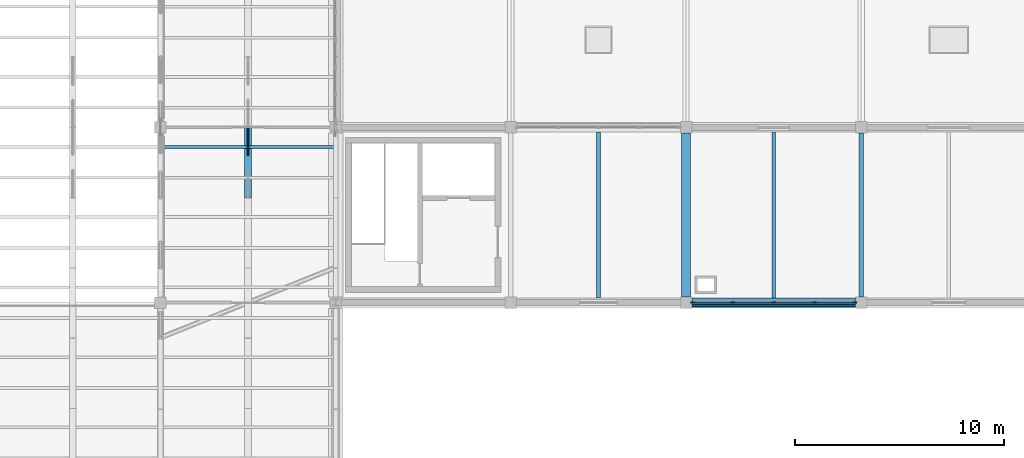
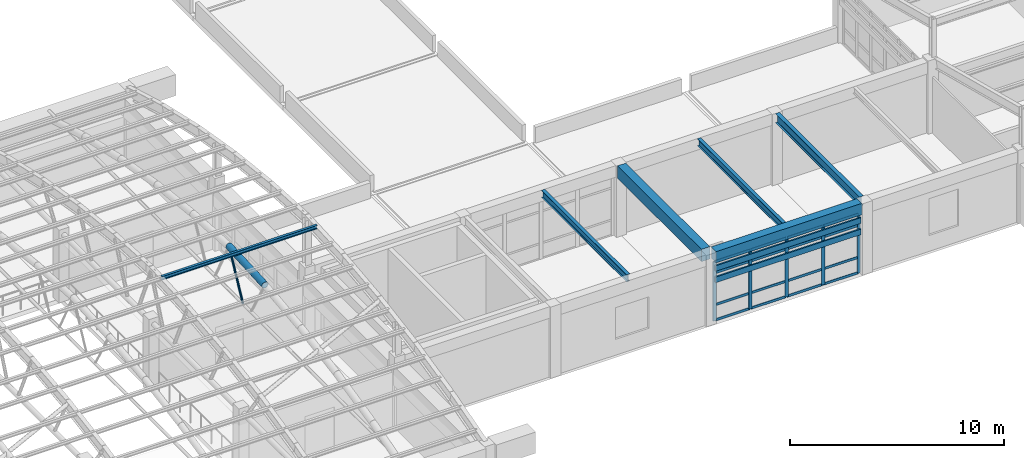
# One storey, part 21 of 74: 26 members, 5 beams, 1 element without a shape of its own.
"""IFC4 building model written with IfcOpenShell, lengths in metres."""

from ifc_helpers import new_model, si_unit, direction, frame, origin, origin_2d, place, context, subcontext, project, spatial, rectangle, hollow_circle, i_section, extrude, material, layer, layer_set, material_profile, profile_set, type_object, element, aggregate, save


model = new_model("IFC4")

# Units and contexts
model_context = context("Model", 3, precision=1e-05, world=origin(), true_north=direction((0.0, 1.0)))
body_context = subcontext(model_context, "Body", "Model", "MODEL_VIEW")
ifc_project = project(units=[si_unit("LENGTHUNIT", "METRE"), si_unit("AREAUNIT", "SQUARE_METRE"), si_unit("VOLUMEUNIT", "CUBIC_METRE"), si_unit("PLANEANGLEUNIT", "RADIAN"), si_unit("MASSUNIT", "GRAM", prefix="KILO")], contexts=[model_context])

# Site, building, storey
site_placement = place(None, origin())
site = spatial("IfcSite", under=ifc_project, at=site_placement, CompositionType="ELEMENT")
building_placement = place(site_placement, origin())
building = spatial("IfcBuilding", under=site, at=building_placement, Name="Porcellanite Civic Hall", CompositionType="ELEMENT")
storey_placement = place(building_placement, frame((0.0, 0.0, 14.760009765625)))
storey = spatial("IfcBuildingStorey", under=building, at=storey_placement, Name="L03", CompositionType="ELEMENT", Elevation=14.760009765625)

# Member
ifc_material_1 = material(Name="Steel C350L0", Category="steel")
ifc_material_profile_1 = material_profile(ifc_material_1, hollow_circle(Radius=0.177734375, WallThickness=0.0126953125, at=origin_2d()), Name="355.6x12.7CHS")
ifc_profile_set_1 = profile_set([ifc_material_profile_1], Name="Steel C350L0")
member_type_1 = type_object("IfcMemberType", Name="ARCH-355CHS", PredefinedType="RAFTER", material=ifc_profile_set_1)
member_1_placement = place(storey_placement, frame((105.0, 55.43994140625, 6.420166015625), z_axis=(0.0, 0.998438625211, 0.055859750157), x_axis=(-1.0, 0.0, 0.0)))
element("IfcMember", 1, at=member_1_placement, inside=storey, type_object=member_type_1, Name="Chamber secondary arch segment 12 5", PredefinedType="RAFTER", context=body_context, shape_type="SweptSolid", body=[
    extrude(hollow_circle(Radius=0.177734375, WallThickness=0.0126953125, at=origin_2d()), origin(), (0.0, 0.0, 1.0), 3.365478515625),
])

# Beams
ifc_material_2 = material(Name="Concrete N50 (50 MPa)", Category="concrete")
ifc_material_profile_2 = material_profile(ifc_material_2, rectangle(XDim=0.449951171875, YDim=0.64990234375, at=origin_2d()), Name="RC-450x650")
ifc_profile_set_2 = profile_set([ifc_material_profile_2], Name="Concrete N50 (50 MPa)")
beam_type_1 = type_object("IfcBeamType", Name="BM-RC650", PredefinedType="SPANDREL", material=ifc_profile_set_2)
beam_1_placement = place(storey_placement, frame((126.2744140625, 50.39990234375, 3.744873046875), z_axis=(1.0, 0.0, 0.0), x_axis=(0.0, 1.0, 0.0)))
element("IfcBeam", 2, at=beam_1_placement, inside=storey, type_object=beam_type_1, Name="Beam X L03 16-7", PredefinedType="SPANDREL", context=body_context, shape_type="SweptSolid", body=[
    extrude(rectangle(XDim=0.449951171875, YDim=0.64990234375, at=origin_2d()), origin(), (0.0, 0.0, 1.0), 7.85107421875),
])
ifc_material_3 = material(Name="Concrete N50 (50 MPa)", Category="concrete")
ifc_material_profile_3 = material_profile(ifc_material_3, rectangle(XDim=0.449951171875, YDim=0.699951171875, at=origin_2d()), Name="RC-450x700")
ifc_profile_set_3 = profile_set([ifc_material_profile_3], Name="Concrete N50 (50 MPa)")
beam_type_2 = type_object("IfcBeamType", Name="BM-RC700", PredefinedType="BEAM", material=ifc_profile_set_3)
beam_2_placement = place(storey_placement, frame((126.0, 50.674560546875, 3.719970703125), z_axis=(0.0, 1.0, 0.0), x_axis=(-1.0, 0.0, 0.0)))
element("IfcBeam", 3, at=beam_2_placement, inside=storey, type_object=beam_type_2, Name="Beam Y L03 16-7", PredefinedType="BEAM", context=body_context, shape_type="SweptSolid", body=[
    extrude(rectangle(XDim=0.449951171875, YDim=0.699951171875, at=origin_2d()), origin(), (0.0, 0.0, 1.0), 7.850830078125),
])

# Member
ifc_material_4 = material(Name="Steel C350L0", Category="steel")
ifc_material_profile_4 = material_profile(ifc_material_4, hollow_circle(Radius=0.05712890625, WallThickness=0.006103515625, at=origin_2d()), Name="114.3x6.0CHS")
ifc_profile_set_4 = profile_set([ifc_material_profile_4], Name="Steel C350L0")
member_type_2 = type_object("IfcMemberType", Name="BRC-114CHS", PredefinedType="BRACE", material=ifc_profile_set_4)
member_2_placement = place(storey_placement, frame((105.0, 57.5, 4.11474609375), z_axis=(0.0, 0.461898880778, 0.886932592668), x_axis=(-1.0, 0.0, 0.0)))
element("IfcMember", 4, at=member_2_placement, inside=storey, type_object=member_type_2, Name="Chamber secondary arch web 12-2", PredefinedType="BRACE", context=body_context, shape_type="SweptSolid", body=[
    extrude(hollow_circle(Radius=0.05712890625, WallThickness=0.006103515625, at=origin_2d()), origin(), (0.0, 0.0, 1.0), 2.814453125),
])

# Curtain wall, members
ifc_material_5 = material(Name="Anodised aluminium and solar laminated glass", Category="aluminium")
ifc_layer = layer(ifc_material_5, 0.179931640625)
ifc_layer_set = layer_set([ifc_layer], Name="Anodised aluminium and solar laminated glass")
curtain_wall_type = type_object("IfcCurtainWallType", Name="CW-SYS06", PredefinedType="NOTDEFINED", material=ifc_layer_set)
curtain_wall_placement = place(storey_placement, origin())
curtain_wall = element("IfcCurtainWall", 5, at=curtain_wall_placement, inside=storey, type_object=curtain_wall_type, Name="Curtain wall CW-218", PredefinedType="NOTDEFINED")
ifc_material_6 = material(Name="Anodised aluminium 6063-T6", Category="aluminium")
ifc_material_profile_5 = material_profile(ifc_material_6, rectangle(XDim=0.06494140625, YDim=0.179931640625, at=origin_2d()), Name="AL-65x180")
ifc_profile_set_5 = profile_set([ifc_material_profile_5], Name="Anodised aluminium 6063-T6")
member_type_3 = type_object("IfcMemberType", Name="CWM-06", PredefinedType="MULLION", material=ifc_profile_set_5)
member_3_placement = place(storey_placement, frame((134.091552734375, 50.39990234375, 0.0), z_axis=(0.0, 0.0, 1.0), x_axis=(0.0, -1.0, 0.0)))
member_3 = element("IfcMember", 6, at=member_3_placement, type_object=member_type_3, Name="CW-218 mullion 1", PredefinedType="MULLION", context=body_context, shape_type="SweptSolid", body=[
    extrude(rectangle(XDim=0.06494140625, YDim=0.179931640625, at=origin_2d()), origin(), (0.0, 0.0, 1.0), 3.369873046875),
])
member_4_placement = place(storey_placement, frame((132.162109375, 50.39990234375, 0.0), z_axis=(0.0, 0.0, 1.0), x_axis=(0.0, -1.0, 0.0)))
member_4 = element("IfcMember", 7, at=member_4_placement, type_object=member_type_3, Name="CW-218 mullion 2", PredefinedType="MULLION", context=body_context, shape_type="SweptSolid", body=[
    extrude(rectangle(XDim=0.06494140625, YDim=0.179931640625, at=origin_2d()), origin(), (0.0, 0.0, 1.0), 3.369873046875),
])
member_5_placement = place(storey_placement, frame((130.199951171875, 50.39990234375, 0.0), z_axis=(0.0, 0.0, 1.0), x_axis=(0.0, -1.0, 0.0)))
member_5 = element("IfcMember", 8, at=member_5_placement, type_object=member_type_3, Name="CW-218 mullion 3", PredefinedType="MULLION", context=body_context, shape_type="SweptSolid", body=[
    extrude(rectangle(XDim=0.06494140625, YDim=0.179931640625, at=origin_2d()), origin(), (0.0, 0.0, 1.0), 3.369873046875),
])
member_6_placement = place(storey_placement, frame((128.238037109375, 50.39990234375, 0.0), z_axis=(0.0, 0.0, 1.0), x_axis=(0.0, -1.0, 0.0)))
member_6 = element("IfcMember", 9, at=member_6_placement, type_object=member_type_3, Name="CW-218 mullion 4", PredefinedType="MULLION", context=body_context, shape_type="SweptSolid", body=[
    extrude(rectangle(XDim=0.06494140625, YDim=0.179931640625, at=origin_2d()), origin(), (0.0, 0.0, 1.0), 3.369873046875),
])
member_7_placement = place(storey_placement, frame((126.30859375, 50.39990234375, 0.0), z_axis=(0.0, 0.0, 1.0), x_axis=(0.0, -1.0, 0.0)))
member_7 = element("IfcMember", 10, at=member_7_placement, type_object=member_type_3, Name="CW-218 mullion 5", PredefinedType="MULLION", context=body_context, shape_type="SweptSolid", body=[
    extrude(rectangle(XDim=0.06494140625, YDim=0.179931640625, at=origin_2d()), origin(), (0.0, 0.0, 1.0), 3.369873046875),
])
ifc_material_7 = material(Name="Anodised aluminium 6063-T6", Category="aluminium")
ifc_material_profile_6 = material_profile(ifc_material_7, rectangle(XDim=0.050048828125, YDim=0.139892578125, at=origin_2d()), Name="AL-50x140")
ifc_profile_set_6 = profile_set([ifc_material_profile_6], Name="Anodised aluminium 6063-T6")
member_type_4 = type_object("IfcMemberType", Name="CWT-06", PredefinedType="USERDEFINED", material=ifc_profile_set_6)
member_8_placement = place(storey_placement, frame((134.05908203125, 50.39990234375, 0.02490234375), z_axis=(-1.0, 0.0, 0.0), x_axis=(0.0, -1.0, 0.0)))
member_8 = element("IfcMember", 11, at=member_8_placement, type_object=member_type_4, Name="CW-218 transom 1.1", ObjectType="TRANSOM", PredefinedType="USERDEFINED", context=body_context, shape_type="SweptSolid", body=[
    extrude(rectangle(XDim=0.050048828125, YDim=0.139892578125, at=origin_2d()), origin(), (0.0, 0.0, 1.0), 1.864501953125),
])
member_9_placement = place(storey_placement, frame((134.05908203125, 50.39990234375, 0.89990234375), z_axis=(-1.0, 0.0, 0.0), x_axis=(0.0, -1.0, 0.0)))
member_9 = element("IfcMember", 12, at=member_9_placement, type_object=member_type_4, Name="CW-218 transom 1.2", ObjectType="TRANSOM", PredefinedType="USERDEFINED", context=body_context, shape_type="SweptSolid", body=[
    extrude(rectangle(XDim=0.050048828125, YDim=0.139892578125, at=origin_2d()), origin(), (0.0, 0.0, 1.0), 1.864501953125),
])
member_10_placement = place(storey_placement, frame((134.05908203125, 50.39990234375, 2.719970703125), z_axis=(-1.0, 0.0, 0.0), x_axis=(0.0, -1.0, 0.0)))
member_10 = element("IfcMember", 13, at=member_10_placement, type_object=member_type_4, Name="CW-218 transom 1.3", ObjectType="TRANSOM", PredefinedType="USERDEFINED", context=body_context, shape_type="SweptSolid", body=[
    extrude(rectangle(XDim=0.050048828125, YDim=0.139892578125, at=origin_2d()), origin(), (0.0, 0.0, 1.0), 1.864501953125),
])
member_11_placement = place(storey_placement, frame((134.05908203125, 50.39990234375, 3.344970703125), z_axis=(-1.0, 0.0, 0.0), x_axis=(0.0, -1.0, 0.0)))
member_11 = element("IfcMember", 14, at=member_11_placement, type_object=member_type_4, Name="CW-218 transom 1.4", ObjectType="TRANSOM", PredefinedType="USERDEFINED", context=body_context, shape_type="SweptSolid", body=[
    extrude(rectangle(XDim=0.050048828125, YDim=0.139892578125, at=origin_2d()), origin(), (0.0, 0.0, 1.0), 1.864501953125),
])
member_12_placement = place(storey_placement, frame((132.12939453125, 50.39990234375, 0.02490234375), z_axis=(-1.0, 0.0, 0.0), x_axis=(0.0, -1.0, 0.0)))
member_12 = element("IfcMember", 15, at=member_12_placement, type_object=member_type_4, Name="CW-218 transom 2.1", ObjectType="TRANSOM", PredefinedType="USERDEFINED", context=body_context, shape_type="SweptSolid", body=[
    extrude(rectangle(XDim=0.050048828125, YDim=0.139892578125, at=origin_2d()), origin(), (0.0, 0.0, 1.0), 1.89697265625),
])
member_13_placement = place(storey_placement, frame((132.12939453125, 50.39990234375, 0.89990234375), z_axis=(-1.0, 0.0, 0.0), x_axis=(0.0, -1.0, 0.0)))
member_13 = element("IfcMember", 16, at=member_13_placement, type_object=member_type_4, Name="CW-218 transom 2.2", ObjectType="TRANSOM", PredefinedType="USERDEFINED", context=body_context, shape_type="SweptSolid", body=[
    extrude(rectangle(XDim=0.050048828125, YDim=0.139892578125, at=origin_2d()), origin(), (0.0, 0.0, 1.0), 1.89697265625),
])
member_14_placement = place(storey_placement, frame((132.12939453125, 50.39990234375, 2.719970703125), z_axis=(-1.0, 0.0, 0.0), x_axis=(0.0, -1.0, 0.0)))
member_14 = element("IfcMember", 17, at=member_14_placement, type_object=member_type_4, Name="CW-218 transom 2.3", ObjectType="TRANSOM", PredefinedType="USERDEFINED", context=body_context, shape_type="SweptSolid", body=[
    extrude(rectangle(XDim=0.050048828125, YDim=0.139892578125, at=origin_2d()), origin(), (0.0, 0.0, 1.0), 1.89697265625),
])
member_15_placement = place(storey_placement, frame((132.12939453125, 50.39990234375, 3.344970703125), z_axis=(-1.0, 0.0, 0.0), x_axis=(0.0, -1.0, 0.0)))
member_15 = element("IfcMember", 18, at=member_15_placement, type_object=member_type_4, Name="CW-218 transom 2.4", ObjectType="TRANSOM", PredefinedType="USERDEFINED", context=body_context, shape_type="SweptSolid", body=[
    extrude(rectangle(XDim=0.050048828125, YDim=0.139892578125, at=origin_2d()), origin(), (0.0, 0.0, 1.0), 1.89697265625),
])
member_16_placement = place(storey_placement, frame((130.16748046875, 50.39990234375, 0.02490234375), z_axis=(-1.0, 0.0, 0.0), x_axis=(0.0, -1.0, 0.0)))
member_16 = element("IfcMember", 19, at=member_16_placement, type_object=member_type_4, Name="CW-218 transom 3.1", ObjectType="TRANSOM", PredefinedType="USERDEFINED", context=body_context, shape_type="SweptSolid", body=[
    extrude(rectangle(XDim=0.050048828125, YDim=0.139892578125, at=origin_2d()), origin(), (0.0, 0.0, 1.0), 1.89697265625),
])
member_17_placement = place(storey_placement, frame((130.16748046875, 50.39990234375, 0.89990234375), z_axis=(-1.0, 0.0, 0.0), x_axis=(0.0, -1.0, 0.0)))
member_17 = element("IfcMember", 20, at=member_17_placement, type_object=member_type_4, Name="CW-218 transom 3.2", ObjectType="TRANSOM", PredefinedType="USERDEFINED", context=body_context, shape_type="SweptSolid", body=[
    extrude(rectangle(XDim=0.050048828125, YDim=0.139892578125, at=origin_2d()), origin(), (0.0, 0.0, 1.0), 1.89697265625),
])
member_18_placement = place(storey_placement, frame((130.16748046875, 50.39990234375, 2.719970703125), z_axis=(-1.0, 0.0, 0.0), x_axis=(0.0, -1.0, 0.0)))
member_18 = element("IfcMember", 21, at=member_18_placement, type_object=member_type_4, Name="CW-218 transom 3.3", ObjectType="TRANSOM", PredefinedType="USERDEFINED", context=body_context, shape_type="SweptSolid", body=[
    extrude(rectangle(XDim=0.050048828125, YDim=0.139892578125, at=origin_2d()), origin(), (0.0, 0.0, 1.0), 1.89697265625),
])
member_19_placement = place(storey_placement, frame((130.16748046875, 50.39990234375, 3.344970703125), z_axis=(-1.0, 0.0, 0.0), x_axis=(0.0, -1.0, 0.0)))
member_19 = element("IfcMember", 22, at=member_19_placement, type_object=member_type_4, Name="CW-218 transom 3.4", ObjectType="TRANSOM", PredefinedType="USERDEFINED", context=body_context, shape_type="SweptSolid", body=[
    extrude(rectangle(XDim=0.050048828125, YDim=0.139892578125, at=origin_2d()), origin(), (0.0, 0.0, 1.0), 1.89697265625),
])
member_20_placement = place(storey_placement, frame((128.20556640625, 50.39990234375, 0.02490234375), z_axis=(-1.0, 0.0, 0.0), x_axis=(0.0, -1.0, 0.0)))
member_20 = element("IfcMember", 23, at=member_20_placement, type_object=member_type_4, Name="CW-218 transom 4.1", ObjectType="TRANSOM", PredefinedType="USERDEFINED", context=body_context, shape_type="SweptSolid", body=[
    extrude(rectangle(XDim=0.050048828125, YDim=0.139892578125, at=origin_2d()), origin(), (0.0, 0.0, 1.0), 1.864501953125),
])
member_21_placement = place(storey_placement, frame((128.20556640625, 50.39990234375, 0.89990234375), z_axis=(-1.0, 0.0, 0.0), x_axis=(0.0, -1.0, 0.0)))
member_21 = element("IfcMember", 24, at=member_21_placement, type_object=member_type_4, Name="CW-218 transom 4.2", ObjectType="TRANSOM", PredefinedType="USERDEFINED", context=body_context, shape_type="SweptSolid", body=[
    extrude(rectangle(XDim=0.050048828125, YDim=0.139892578125, at=origin_2d()), origin(), (0.0, 0.0, 1.0), 1.864501953125),
])
member_22_placement = place(storey_placement, frame((128.20556640625, 50.39990234375, 2.719970703125), z_axis=(-1.0, 0.0, 0.0), x_axis=(0.0, -1.0, 0.0)))
member_22 = element("IfcMember", 25, at=member_22_placement, type_object=member_type_4, Name="CW-218 transom 4.3", ObjectType="TRANSOM", PredefinedType="USERDEFINED", context=body_context, shape_type="SweptSolid", body=[
    extrude(rectangle(XDim=0.050048828125, YDim=0.139892578125, at=origin_2d()), origin(), (0.0, 0.0, 1.0), 1.864501953125),
])
member_23_placement = place(storey_placement, frame((128.20556640625, 50.39990234375, 3.344970703125), z_axis=(-1.0, 0.0, 0.0), x_axis=(0.0, -1.0, 0.0)))
member_23 = element("IfcMember", 26, at=member_23_placement, type_object=member_type_4, Name="CW-218 transom 4.4", ObjectType="TRANSOM", PredefinedType="USERDEFINED", context=body_context, shape_type="SweptSolid", body=[
    extrude(rectangle(XDim=0.050048828125, YDim=0.139892578125, at=origin_2d()), origin(), (0.0, 0.0, 1.0), 1.864501953125),
])
aggregate(curtain_wall, [member_3, member_4, member_5, member_6, member_7, member_8, member_9, member_10, member_11, member_12, member_13, member_14, member_15, member_16, member_17, member_18, member_19, member_20, member_21, member_22, member_23])

# Beams
ifc_material_8 = material(Name="Steel Grade 350", Category="steel")
ifc_material_profile_7 = material_profile(ifc_material_8, i_section(OverallWidth=0.177978515625, OverallDepth=0.403076171875, WebThickness=0.007568359375, FlangeThickness=0.010986328125, FilletRadius=0.011474609375, at=origin_2d()), Name="410UB53.7")
ifc_profile_set_7 = profile_set([ifc_material_profile_7], Name="Steel Grade 350")
beam_type_3 = type_object("IfcBeamType", Name="JST-410UB54", PredefinedType="JOIST", material=ifc_profile_set_7)
beam_3_placement = place(storey_placement, frame((130.199951171875, 50.62451171875, 3.868408203125), z_axis=(0.0, 1.0, 0.0), x_axis=(-1.0, 0.0, 0.0)))
element("IfcBeam", 27, at=beam_3_placement, inside=storey, type_object=beam_type_3, Name="Secondary joist L03 16-7", PredefinedType="JOIST", context=body_context, shape_type="SweptSolid", body=[
    extrude(i_section(OverallWidth=0.177978515625, OverallDepth=0.403076171875, WebThickness=0.007568359375, FlangeThickness=0.010986328125, FilletRadius=0.011474609375, at=origin_2d()), origin(), (0.0, 0.0, 1.0), 7.950927734375),
])
ifc_material_9 = material(Name="Steel Grade 350", Category="steel")
ifc_material_profile_8 = material_profile(ifc_material_9, i_section(OverallWidth=0.177978515625, OverallDepth=0.406005859375, WebThickness=0.0078125, FlangeThickness=0.0126953125, FilletRadius=0.011474609375, at=origin_2d()), Name="410UB59.7")
ifc_profile_set_8 = profile_set([ifc_material_profile_8], Name="Steel Grade 350")
beam_type_4 = type_object("IfcBeamType", Name="JST-410UB60", PredefinedType="JOIST", material=ifc_profile_set_8)
beam_4_placement = place(storey_placement, frame((121.800048828125, 50.62451171875, 3.866943359375), z_axis=(0.0, 1.0, 0.0), x_axis=(-1.0, 0.0, 0.0)))
element("IfcBeam", 28, at=beam_4_placement, inside=storey, type_object=beam_type_4, Name="Secondary joist L03 15-7", PredefinedType="JOIST", context=body_context, shape_type="SweptSolid", body=[
    extrude(i_section(OverallWidth=0.177978515625, OverallDepth=0.406005859375, WebThickness=0.0078125, FlangeThickness=0.0126953125, FilletRadius=0.011474609375, at=origin_2d()), origin(), (0.0, 0.0, 1.0), 7.950927734375),
])

# Members
ifc_material_10 = material(Name="Fluoropolymer bauxite-red aluminium 6063-T6", Category="aluminium")
ifc_material_profile_9 = material_profile(ifc_material_10, rectangle(XDim=0.080078125, YDim=0.320068359375, at=origin_2d()), Name="AL-80x320")
ifc_profile_set_9 = profile_set([ifc_material_profile_9], Name="Fluoropolymer bauxite-red aluminium 6063-T6")
member_type_5 = type_object("IfcMemberType", Name="LV-BLD03", PredefinedType="USERDEFINED", material=ifc_profile_set_9)
for number, where, z_axis, x_axis, name in (
    (29, (134.12548828125, 50.26806640625, 3.070068359375), (-1.0, 0.0, 0.0), (0.0, -1.0, 0.0), "Cyclone sunshade louvre L03 S 15-6 1"),
    (30, (134.12548828125, 50.26806640625, 2.419921875), (-1.0, 0.0, 0.0), (0.0, -1.0, 0.0), "Cyclone sunshade louvre L03 S 15-6 2"),
):
    element("IfcMember", number, at=place(storey_placement, frame(where, z_axis=z_axis, x_axis=x_axis)), inside=storey, type_object=member_type_5, Name=name, ObjectType="LOUVRE BLADE", PredefinedType="USERDEFINED", context=body_context, shape_type="SweptSolid", body=[
        extrude(rectangle(XDim=0.080078125, YDim=0.320068359375, at=origin_2d()), origin(), (0.0, 0.0, 1.0), 7.85107421875),
    ])
ifc_material_11 = material(Name="Steel Grade 350", Category="steel")
ifc_material_profile_10 = material_profile(ifc_material_11, i_section(OverallWidth=0.133056640625, OverallDepth=0.202880859375, WebThickness=0.005859375, FlangeThickness=0.0078125, FilletRadius=0.0087890625, at=origin_2d()), Name="200UB25.4")
ifc_profile_set_10 = profile_set([ifc_material_profile_10], Name="Steel Grade 350")
member_type_6 = type_object("IfcMemberType", Name="PUR-200UB25", PredefinedType="PURLIN", material=ifc_profile_set_10)
member_24_placement = place(storey_placement, frame((100.806396484375, 57.859130859375, 6.833740234375), z_axis=(1.0, 0.0, 0.0), x_axis=(0.0, 1.0, 0.0)))
element("IfcMember", 31, at=member_24_placement, inside=storey, type_object=member_type_6, Name="Chamber shell purlin 12 5B", PredefinedType="PURLIN", context=body_context, shape_type="SweptSolid", body=[
    extrude(i_section(OverallWidth=0.133056640625, OverallDepth=0.202880859375, WebThickness=0.005859375, FlangeThickness=0.0078125, FilletRadius=0.0087890625, at=origin_2d()), origin(), (0.0, 0.0, 1.0), 8.38720703125),
])

# Beam
ifc_material_12 = material(Name="Steel Grade 350", Category="steel")
ifc_material_profile_11 = material_profile(ifc_material_12, i_section(OverallWidth=0.208984375, OverallDepth=0.528076171875, WebThickness=0.009521484375, FlangeThickness=0.01318359375, FilletRadius=0.013916015625, at=origin_2d()), Name="530UB82.0")
ifc_profile_set_11 = profile_set([ifc_material_profile_11], Name="Steel Grade 350")
beam_type_5 = type_object("IfcBeamType", Name="RAF-530UB82", PredefinedType="BEAM", material=ifc_profile_set_11)
beam_5_placement = place(storey_placement, frame((134.39990234375, 50.674560546875, 3.805908203125), z_axis=(0.0, 1.0, 0.0), x_axis=(-1.0, 0.0, 0.0)))
element("IfcBeam", 32, at=beam_5_placement, inside=storey, type_object=beam_type_5, Name="Beam Y L03 17-7", PredefinedType="BEAM", context=body_context, shape_type="SweptSolid", body=[
    extrude(i_section(OverallWidth=0.208984375, OverallDepth=0.528076171875, WebThickness=0.009521484375, FlangeThickness=0.01318359375, FilletRadius=0.013916015625, at=origin_2d()), origin(), (0.0, 0.0, 1.0), 7.850830078125),
])

save(model, "model.ifc")
